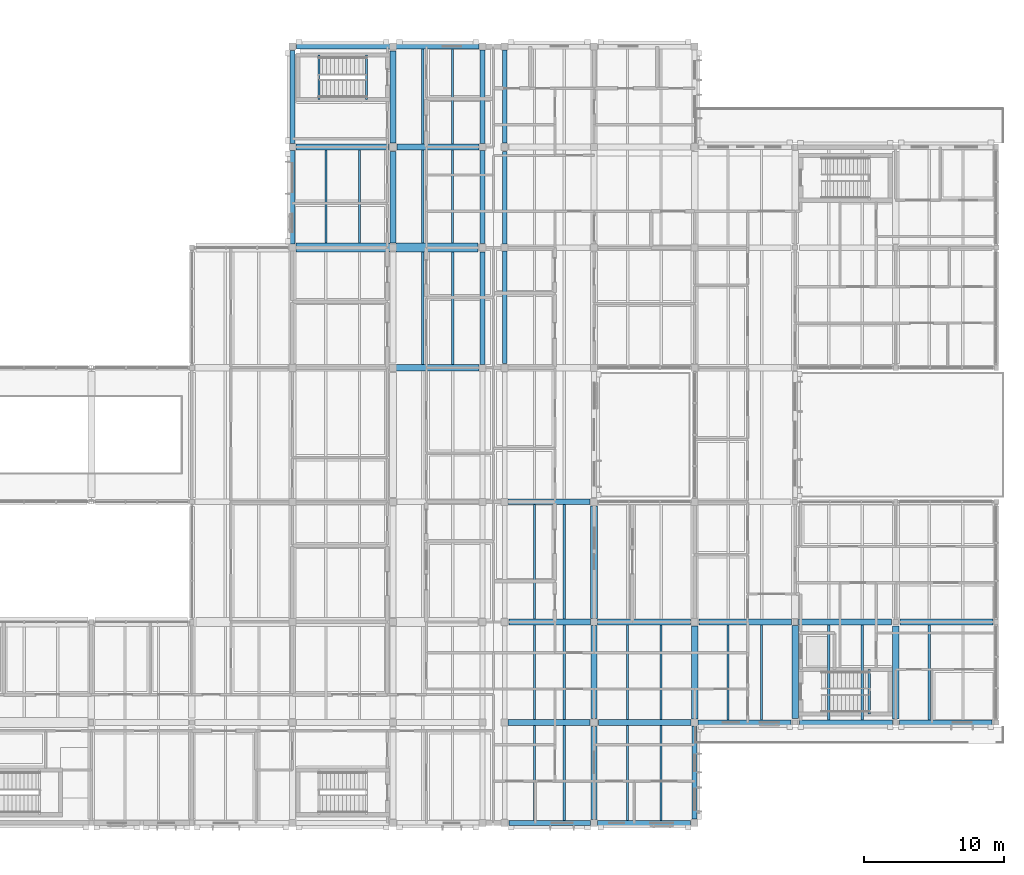
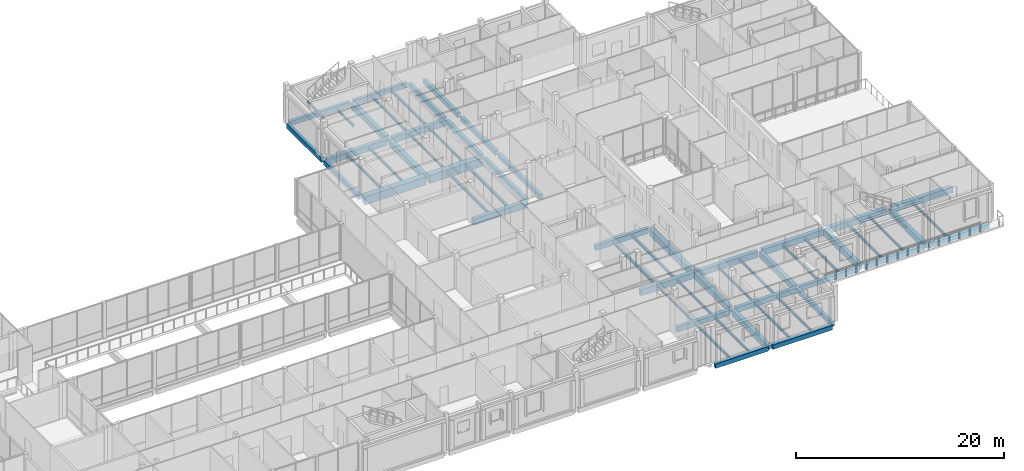
# One storey, part 81 of 146: 63 beams.
"""IFC4 building model written with IfcOpenShell, lengths in metres."""

from ifc_helpers import new_model, si_unit, direction, frame, origin, origin_2d, place, context, subcontext, project, spatial, rectangle, i_section, extrude, material, material_profile, profile_set, type_object, element, save


model = new_model("IFC4")

# Units and contexts
model_context = context("Model", 3, precision=1e-05, world=origin(), true_north=direction((0.0, 1.0)))
body_context = subcontext(model_context, "Body", "Model", "MODEL_VIEW")
ifc_project = project(units=[si_unit("LENGTHUNIT", "METRE"), si_unit("AREAUNIT", "SQUARE_METRE"), si_unit("VOLUMEUNIT", "CUBIC_METRE"), si_unit("PLANEANGLEUNIT", "RADIAN"), si_unit("MASSUNIT", "GRAM", prefix="KILO")], contexts=[model_context])

# Site, building, storey
site_placement = place(None, origin())
site = spatial("IfcSite", under=ifc_project, at=site_placement, CompositionType="ELEMENT")
building_placement = place(site_placement, origin())
building = spatial("IfcBuilding", under=site, at=building_placement, Name="Hawrajan Terrace Health Centre", CompositionType="ELEMENT")
storey_placement = place(building_placement, frame((0.0, 0.0, 4.5)))
storey = spatial("IfcBuildingStorey", under=building, at=storey_placement, Name="L01", CompositionType="ELEMENT", Elevation=4.5)

# Beams
ifc_material_1 = material(Name="Concrete C40/50", Category="concrete")
ifc_material_profile_1 = material_profile(ifc_material_1, rectangle(XDim=0.39990234375, YDim=0.60009765625, at=origin_2d()), Name="RC BM 400x600")
ifc_profile_set_1 = profile_set([ifc_material_profile_1], Name="Concrete C40/50")
beam_type_1 = type_object("IfcBeamType", Name="RCGirder_400x600", PredefinedType="BEAM", material=ifc_profile_set_1)
for number, where, z_axis, x_axis, name in (
    (1, (130.449951171875, 11.39990234375, -0.699951171875), (1.0, 0.0, 0.0), (0.0, 1.0, 0.0), "Beam BM-X-L01-E-17-Y2"),
    (2, (130.449951171875, 27.199951171875, -0.699951171875), (1.0, 0.0, 0.0), (0.0, 1.0, 0.0), "Beam BM-X-L01-E-17-Y4"),
):
    element("IfcBeam", number, at=place(storey_placement, frame(where, z_axis=z_axis, x_axis=x_axis)), inside=storey, type_object=beam_type_1, Name=name, PredefinedType="BEAM", context=body_context, shape_type="SweptSolid", body=[
        extrude(rectangle(XDim=0.39990234375, YDim=0.60009765625, at=origin_2d()), origin(), (0.0, 0.0, 1.0), 5.85009765625),
    ])
beam_1_placement = place(storey_placement, frame((136.89990234375, 11.39990234375, -0.699951171875), z_axis=(1.0, 0.0, 0.0), x_axis=(0.0, 1.0, 0.0)))
element("IfcBeam", 3, at=beam_1_placement, inside=storey, type_object=beam_type_1, Name="Beam BM-X-L01-E-18-Y2", PredefinedType="BEAM", context=body_context, shape_type="SweptSolid", body=[
    extrude(rectangle(XDim=0.39990234375, YDim=0.60009765625, at=origin_2d()), origin(), (0.0, 0.0, 1.0), 6.650146484375),
])
ifc_material_profile_2 = material_profile(ifc_material_1, rectangle(XDim=0.449951171875, YDim=0.699951171875, at=origin_2d()), Name="RC BM 450x700")
ifc_profile_set_2 = profile_set([ifc_material_profile_2], Name="Concrete C40/50")
beam_type_2 = type_object("IfcBeamType", Name="RCGirder_450x700", PredefinedType="BEAM", material=ifc_profile_set_2)
beam_2_placement = place(storey_placement, frame((115.25, 52.60009765625, -0.64990234375), z_axis=(1.0, 0.0, 0.0), x_axis=(0.0, 1.0, 0.0)))
element("IfcBeam", 4, at=beam_2_placement, inside=storey, type_object=beam_type_2, Name="Beam BM-X-L01-C-15-Y7", PredefinedType="BEAM", context=body_context, shape_type="SweptSolid", body=[
    extrude(rectangle(XDim=0.449951171875, YDim=0.699951171875, at=origin_2d()), origin(), (0.0, 0.0, 1.0), 6.64990234375),
])
beam_3_placement = place(storey_placement, frame((122.425048828125, 36.800048828125, -0.64990234375), z_axis=(1.0, 0.0, 0.0), x_axis=(0.0, 1.0, 0.0)))
element("IfcBeam", 5, at=beam_3_placement, inside=storey, type_object=beam_type_2, Name="Beam BM-X-L01-C-16-Y5", PredefinedType="BEAM", context=body_context, shape_type="SweptSolid", body=[
    extrude(rectangle(XDim=0.449951171875, YDim=0.699951171875, at=origin_2d()), origin(), (0.0, 0.0, 1.0), 5.925048828125),
])
beam_4_placement = place(storey_placement, frame((122.5, 52.60009765625, -0.64990234375), z_axis=(1.0, 0.0, 0.0), x_axis=(0.0, 1.0, 0.0)))
element("IfcBeam", 6, at=beam_4_placement, inside=storey, type_object=beam_type_2, Name="Beam BM-X-L01-C-16-Y7", PredefinedType="BEAM", context=body_context, shape_type="SweptSolid", body=[
    extrude(rectangle(XDim=0.449951171875, YDim=0.699951171875, at=origin_2d()), origin(), (0.0, 0.0, 1.0), 5.85009765625),
])
beam_5_placement = place(storey_placement, frame((122.199951171875, 45.72509765625, -0.64990234375), z_axis=(0.0, 1.0, 0.0), x_axis=(-1.0, 0.0, 0.0)))
element("IfcBeam", 7, at=beam_5_placement, inside=storey, type_object=beam_type_2, Name="Beam BM-Y-L01-C-X16-6", PredefinedType="BEAM", context=body_context, shape_type="SweptSolid", body=[
    extrude(rectangle(XDim=0.449951171875, YDim=0.699951171875, at=origin_2d()), origin(), (0.0, 0.0, 1.0), 6.574951171875),
])
beam_6_placement = place(storey_placement, frame((122.199951171875, 52.89990234375, -0.64990234375), z_axis=(0.0, 1.0, 0.0), x_axis=(-1.0, 0.0, 0.0)))
element("IfcBeam", 8, at=beam_6_placement, inside=storey, type_object=beam_type_2, Name="Beam BM-Y-L01-C-X16-7", PredefinedType="BEAM", context=body_context, shape_type="SweptSolid", body=[
    extrude(rectangle(XDim=0.449951171875, YDim=0.699951171875, at=origin_2d()), origin(), (0.0, 0.0, 1.0), 6.5751953125),
])
beam_7_placement = place(storey_placement, frame((130.5, 18.60009765625, -0.75), z_axis=(1.0, 0.0, 0.0), x_axis=(0.0, 1.0, 0.0)))
element("IfcBeam", 9, at=beam_7_placement, inside=storey, type_object=beam_type_2, Name="Beam BM-X-L01-E-17-Y3", PredefinedType="BEAM", context=body_context, shape_type="SweptSolid", body=[
    extrude(rectangle(XDim=0.449951171875, YDim=0.699951171875, at=origin_2d()), origin(), (0.0, 0.0, 1.0), 5.85009765625),
])
for number, where, z_axis, x_axis, name in (
    (10, (136.85009765625, 18.60009765625, -0.75), (1.0, 0.0, 0.0), (0.0, 1.0, 0.0), "Beam BM-X-L01-E-18-Y3"),
    (11, (144.10009765625, 18.60009765625, -0.75), (1.0, 0.0, 0.0), (0.0, 1.0, 0.0), "Beam BM-X-L01-E-19-Y3"),
    (12, (151.25, 18.60009765625, -0.75), (1.0, 0.0, 0.0), (0.0, 1.0, 0.0), "Beam BM-X-L01-E-20-Y3"),
    (13, (158.5, 18.60009765625, -0.75), (1.0, 0.0, 0.0), (0.0, 1.0, 0.0), "Beam BM-X-L01-E-21-Y3"),
):
    element("IfcBeam", number, at=place(storey_placement, frame(where, z_axis=z_axis, x_axis=x_axis)), inside=storey, type_object=beam_type_2, Name=name, PredefinedType="BEAM", context=body_context, shape_type="SweptSolid", body=[
        extrude(rectangle(XDim=0.449951171875, YDim=0.699951171875, at=origin_2d()), origin(), (0.0, 0.0, 1.0), 6.64990234375),
    ])
for number, where, z_axis, x_axis, name in (
    (14, (136.60009765625, 4.449951171875, -0.75), (0.0, 1.0, 0.0), (-1.0, 0.0, 0.0), "Beam BM-Y-L01-E-X18-1"),
    (15, (136.60009765625, 11.699951171875, -0.75), (0.0, 1.0, 0.0), (-1.0, 0.0, 0.0), "Beam BM-Y-L01-E-X18-2"),
    (16, (143.800048828125, 11.64990234375, -0.75), (0.0, 1.0, 0.0), (-1.0, 0.0, 0.0), "Beam BM-Y-L01-E-X19-2"),
    (17, (151.0, 11.699951171875, -0.75), (0.0, 1.0, 0.0), (-1.0, 0.0, 0.0), "Beam BM-Y-L01-E-X20-2"),
    (18, (158.199951171875, 11.64990234375, -0.75), (0.0, 1.0, 0.0), (-1.0, 0.0, 0.0), "Beam BM-Y-L01-E-X21-2"),
):
    element("IfcBeam", number, at=place(storey_placement, frame(where, z_axis=z_axis, x_axis=x_axis)), inside=storey, type_object=beam_type_2, Name=name, PredefinedType="BEAM", context=body_context, shape_type="SweptSolid", body=[
        extrude(rectangle(XDim=0.449951171875, YDim=0.699951171875, at=origin_2d()), origin(), (0.0, 0.0, 1.0), 6.650146484375),
    ])
ifc_material_profile_3 = material_profile(ifc_material_1, rectangle(XDim=0.5, YDim=0.800048828125, at=origin_2d()), Name="RC BM 500x800")
ifc_profile_set_3 = profile_set([ifc_material_profile_3], Name="Concrete C40/50")
beam_type_3 = type_object("IfcBeamType", Name="RCGirder_500x800", PredefinedType="BEAM", material=ifc_profile_set_3)
beam_8_placement = place(storey_placement, frame((136.60009765625, 18.85009765625, -0.800048828125), z_axis=(0.0, 1.0, 0.0), x_axis=(-1.0, 0.0, 0.0)))
element("IfcBeam", 19, at=beam_8_placement, inside=storey, type_object=beam_type_3, Name="Beam BM-Y-L01-E-X18-3", PredefinedType="BEAM", context=body_context, shape_type="SweptSolid", body=[
    extrude(rectangle(XDim=0.5, YDim=0.800048828125, at=origin_2d()), origin(), (0.0, 0.0, 1.0), 8.0498046875),
])
ifc_material_profile_4 = material_profile(ifc_material_1, rectangle(XDim=0.35009765625, YDim=0.52001953125, at=origin_2d()), Name="RC SP 350x520")
ifc_profile_set_4 = profile_set([ifc_material_profile_4], Name="Concrete C40/50")
beam_type_4 = type_object("IfcBeamType", Name="RCSpandrel_350x520", PredefinedType="SPANDREL", material=ifc_profile_set_4)
beam_9_placement = place(storey_placement, frame((115.300048828125, 59.800048828125, -0.56005859375), z_axis=(1.0, 0.0, 0.0), x_axis=(0.0, 1.0, 0.0)))
element("IfcBeam", 20, at=beam_9_placement, inside=storey, type_object=beam_type_4, Name="Beam BM-X-L01-C-15-Y8", PredefinedType="SPANDREL", context=body_context, shape_type="SweptSolid", body=[
    extrude(rectangle(XDim=0.35009765625, YDim=0.52001953125, at=origin_2d()), origin(), (0.0, 0.0, 1.0), 6.675048828125),
])
beam_10_placement = place(storey_placement, frame((122.425048828125, 59.800048828125, -0.56005859375), z_axis=(1.0, 0.0, 0.0), x_axis=(0.0, 1.0, 0.0)))
element("IfcBeam", 21, at=beam_10_placement, inside=storey, type_object=beam_type_4, Name="Beam BM-X-L01-C-16-Y8", PredefinedType="SPANDREL", context=body_context, shape_type="SweptSolid", body=[
    extrude(rectangle(XDim=0.35009765625, YDim=0.52001953125, at=origin_2d()), origin(), (0.0, 0.0, 1.0), 5.925048828125),
])
beam_11_placement = place(storey_placement, frame((115.0, 45.64990234375, -0.56005859375), z_axis=(0.0, 1.0, 0.0), x_axis=(-1.0, 0.0, 0.0)))
element("IfcBeam", 22, at=beam_11_placement, inside=storey, type_object=beam_type_4, Name="Beam BM-Y-L01-C-X15-6", PredefinedType="SPANDREL", context=body_context, shape_type="SweptSolid", body=[
    extrude(rectangle(XDim=0.35009765625, YDim=0.52001953125, at=origin_2d()), origin(), (0.0, 0.0, 1.0), 6.7001953125),
])
beam_12_placement = place(storey_placement, frame((115.0, 52.85009765625, -0.56005859375), z_axis=(0.0, 1.0, 0.0), x_axis=(-1.0, 0.0, 0.0)))
element("IfcBeam", 23, at=beam_12_placement, inside=storey, type_object=beam_type_4, Name="Beam BM-Y-L01-C-X15-7", PredefinedType="SPANDREL", context=body_context, shape_type="SweptSolid", body=[
    extrude(rectangle(XDim=0.35009765625, YDim=0.52001953125, at=origin_2d()), origin(), (0.0, 0.0, 1.0), 6.64990234375),
])
beam_13_placement = place(storey_placement, frame((128.60009765625, 37.050048828125, -0.56005859375), z_axis=(0.0, 1.0, 0.0), x_axis=(-1.0, 0.0, 0.0)))
element("IfcBeam", 24, at=beam_13_placement, inside=storey, type_object=beam_type_4, Name="Beam BM-Y-L01-C-X17-5", PredefinedType="SPANDREL", context=body_context, shape_type="SweptSolid", body=[
    extrude(rectangle(XDim=0.35009765625, YDim=0.52001953125, at=origin_2d()), origin(), (0.0, 0.0, 1.0), 8.050048828125),
])
beam_14_placement = place(storey_placement, frame((128.60009765625, 45.699951171875, -0.56005859375), z_axis=(0.0, 1.0, 0.0), x_axis=(-1.0, 0.0, 0.0)))
element("IfcBeam", 25, at=beam_14_placement, inside=storey, type_object=beam_type_4, Name="Beam BM-Y-L01-C-X17-6", PredefinedType="SPANDREL", context=body_context, shape_type="SweptSolid", body=[
    extrude(rectangle(XDim=0.35009765625, YDim=0.52001953125, at=origin_2d()), origin(), (0.0, 0.0, 1.0), 6.650146484375),
])
beam_15_placement = place(storey_placement, frame((128.60009765625, 52.85009765625, -0.56005859375), z_axis=(0.0, 1.0, 0.0), x_axis=(-1.0, 0.0, 0.0)))
element("IfcBeam", 26, at=beam_15_placement, inside=storey, type_object=beam_type_4, Name="Beam BM-Y-L01-C-X17-7", PredefinedType="SPANDREL", context=body_context, shape_type="SweptSolid", body=[
    extrude(rectangle(XDim=0.35009765625, YDim=0.52001953125, at=origin_2d()), origin(), (0.0, 0.0, 1.0), 6.699951171875),
])
beam_16_placement = place(storey_placement, frame((130.5, 4.199951171875, -0.659912109375), z_axis=(1.0, 0.0, 0.0), x_axis=(0.0, 1.0, 0.0)))
element("IfcBeam", 27, at=beam_16_placement, inside=storey, type_object=beam_type_4, Name="Beam BM-X-L01-E-17-Y1", PredefinedType="SPANDREL", context=body_context, shape_type="SweptSolid", body=[
    extrude(rectangle(XDim=0.35009765625, YDim=0.52001953125, at=origin_2d()), origin(), (0.0, 0.0, 1.0), 5.85009765625),
])
for number, where, z_axis, x_axis, name in (
    (28, (136.85009765625, 4.199951171875, -0.659912109375), (1.0, 0.0, 0.0), (0.0, 1.0, 0.0), "Beam BM-X-L01-E-18-Y1"),
    (29, (144.050048828125, 11.39990234375, -0.659912109375), (1.0, 0.0, 0.0), (0.0, 1.0, 0.0), "Beam BM-X-L01-E-19-Y2"),
    (30, (151.300048828125, 11.39990234375, -0.659912109375), (1.0, 0.0, 0.0), (0.0, 1.0, 0.0), "Beam BM-X-L01-E-20-Y2"),
):
    element("IfcBeam", number, at=place(storey_placement, frame(where, z_axis=z_axis, x_axis=x_axis)), inside=storey, type_object=beam_type_4, Name=name, PredefinedType="SPANDREL", context=body_context, shape_type="SweptSolid", body=[
        extrude(rectangle(XDim=0.35009765625, YDim=0.52001953125, at=origin_2d()), origin(), (0.0, 0.0, 1.0), 6.64990234375),
    ])
beam_17_placement = place(storey_placement, frame((158.449951171875, 11.39990234375, -0.659912109375), z_axis=(1.0, 0.0, 0.0), x_axis=(0.0, 1.0, 0.0)))
element("IfcBeam", 31, at=beam_17_placement, inside=storey, type_object=beam_type_4, Name="Beam BM-X-L01-E-21-Y2", PredefinedType="SPANDREL", context=body_context, shape_type="SweptSolid", body=[
    extrude(rectangle(XDim=0.35009765625, YDim=0.52001953125, at=origin_2d()), origin(), (0.0, 0.0, 1.0), 6.650146484375),
])
beam_18_placement = place(storey_placement, frame((130.199951171875, 37.10009765625, -0.659912109375), z_axis=(0.0, 1.0, 0.0), x_axis=(-1.0, 0.0, 0.0)))
element("IfcBeam", 32, at=beam_18_placement, inside=storey, type_object=beam_type_4, Name="Beam BM-Y-L01-E-X17-5", PredefinedType="SPANDREL", context=body_context, shape_type="SweptSolid", body=[
    extrude(rectangle(XDim=0.35009765625, YDim=0.52001953125, at=origin_2d()), origin(), (0.0, 0.0, 1.0), 8.0498046875),
])
for number, where, z_axis, x_axis, name in (
    (33, (130.199951171875, 45.64990234375, -0.659912109375), (0.0, 1.0, 0.0), (-1.0, 0.0, 0.0), "Beam BM-Y-L01-E-X17-6"),
    (34, (130.199951171875, 52.89990234375, -0.659912109375), (0.0, 1.0, 0.0), (-1.0, 0.0, 0.0), "Beam BM-Y-L01-E-X17-7"),
):
    element("IfcBeam", number, at=place(storey_placement, frame(where, z_axis=z_axis, x_axis=x_axis)), inside=storey, type_object=beam_type_4, Name=name, PredefinedType="SPANDREL", context=body_context, shape_type="SweptSolid", body=[
        extrude(rectangle(XDim=0.35009765625, YDim=0.52001953125, at=origin_2d()), origin(), (0.0, 0.0, 1.0), 6.650146484375),
    ])
beam_19_placement = place(storey_placement, frame((143.800048828125, 4.5, -0.659912109375), z_axis=(0.0, 1.0, 0.0), x_axis=(-1.0, 0.0, 0.0)))
element("IfcBeam", 35, at=beam_19_placement, inside=storey, type_object=beam_type_4, Name="Beam BM-Y-L01-E-X19-1", PredefinedType="SPANDREL", context=body_context, shape_type="SweptSolid", body=[
    extrude(rectangle(XDim=0.35009765625, YDim=0.52001953125, at=origin_2d()), origin(), (0.0, 0.0, 1.0), 6.64990234375),
])
ifc_material_profile_5 = material_profile(ifc_material_1, rectangle(XDim=0.64990234375, YDim=0.949951171875, at=origin_2d()), Name="RC TG 650x950")
ifc_profile_set_5 = profile_set([ifc_material_profile_5], Name="Concrete C40/50")
beam_type_5 = type_object("IfcBeamType", Name="RCTransferGirder_650x950", PredefinedType="BEAM", material=ifc_profile_set_5)
beam_20_placement = place(storey_placement, frame((115.25, 45.39990234375, -0.77490234375), z_axis=(1.0, 0.0, 0.0), x_axis=(0.0, 1.0, 0.0)))
element("IfcBeam", 36, at=beam_20_placement, inside=storey, type_object=beam_type_5, Name="Beam BM-X-L01-C-15-Y6", PredefinedType="BEAM", context=body_context, shape_type="SweptSolid", body=[
    extrude(rectangle(XDim=0.64990234375, YDim=0.949951171875, at=origin_2d()), origin(), (0.0, 0.0, 1.0), 6.72509765625),
])
beam_21_placement = place(storey_placement, frame((122.425048828125, 45.39990234375, -0.77490234375), z_axis=(1.0, 0.0, 0.0), x_axis=(0.0, 1.0, 0.0)))
element("IfcBeam", 37, at=beam_21_placement, inside=storey, type_object=beam_type_5, Name="Beam BM-X-L01-C-16-Y6", PredefinedType="BEAM", context=body_context, shape_type="SweptSolid", body=[
    extrude(rectangle(XDim=0.64990234375, YDim=0.949951171875, at=origin_2d()), origin(), (0.0, 0.0, 1.0), 5.875),
])
ifc_material_2 = material(Name="Steel S355", Category="steel")
ifc_material_profile_6 = material_profile(ifc_material_2, i_section(OverallWidth=0.14990234375, OverallDepth=0.300048828125, WebThickness=0.007080078125, FlangeThickness=0.0107421875, FilletRadius=0.014892578125, at=origin_2d()), Name="IPE 300")
ifc_profile_set_6 = profile_set([ifc_material_profile_6], Name="Steel S355")
beam_type_6 = type_object("IfcBeamType", Name="SteelBeam_IPE300", PredefinedType="JOIST", material=ifc_profile_set_6)
for number, where, z_axis, x_axis, name in (
    (38, (117.39990234375, 45.72509765625, -0.449951171875), (0.0, 1.0, 0.0), (-1.0, 0.0, 0.0), "Secondary joist JST-L01-C-15-6-1"),
    (39, (119.800048828125, 45.72509765625, -0.449951171875), (0.0, 1.0, 0.0), (-1.0, 0.0, 0.0), "Secondary joist JST-L01-C-15-6-2"),
    (40, (124.333251953125, 45.72509765625, -0.449951171875), (0.0, 1.0, 0.0), (-1.0, 0.0, 0.0), "Secondary joist JST-L01-C-16-6-1"),
    (41, (126.466796875, 45.72509765625, -0.449951171875), (0.0, 1.0, 0.0), (-1.0, 0.0, 0.0), "Secondary joist JST-L01-C-16-6-2"),
):
    element("IfcBeam", number, at=place(storey_placement, frame(where, z_axis=z_axis, x_axis=x_axis)), inside=storey, type_object=beam_type_6, Name=name, PredefinedType="JOIST", context=body_context, shape_type="SweptSolid", body=[
        extrude(i_section(OverallWidth=0.14990234375, OverallDepth=0.300048828125, WebThickness=0.007080078125, FlangeThickness=0.0107421875, FilletRadius=0.014892578125, at=origin_2d()), origin(), (0.0, 0.0, 1.0), 6.64990234375),
    ])
for number, where, z_axis, x_axis, name in (
    (42, (124.333251953125, 52.824951171875, -0.449951171875), (0.0, 1.0, 0.0), (-1.0, 0.0, 0.0), "Secondary joist JST-L01-C-16-7-1"),
    (43, (126.466796875, 52.824951171875, -0.449951171875), (0.0, 1.0, 0.0), (-1.0, 0.0, 0.0), "Secondary joist JST-L01-C-16-7-2"),
):
    element("IfcBeam", number, at=place(storey_placement, frame(where, z_axis=z_axis, x_axis=x_axis)), inside=storey, type_object=beam_type_6, Name=name, PredefinedType="JOIST", context=body_context, shape_type="SweptSolid", body=[
        extrude(i_section(OverallWidth=0.14990234375, OverallDepth=0.300048828125, WebThickness=0.007080078125, FlangeThickness=0.0107421875, FilletRadius=0.014892578125, at=origin_2d()), origin(), (0.0, 0.0, 1.0), 6.800048828125),
    ])
for number, where, z_axis, x_axis, name in (
    (44, (132.333251953125, 4.375, -0.550048828125), (0.0, 1.0, 0.0), (-1.0, 0.0, 0.0), "Secondary joist JST-L01-E-17-1-1"),
    (45, (134.466796875, 4.375, -0.550048828125), (0.0, 1.0, 0.0), (-1.0, 0.0, 0.0), "Secondary joist JST-L01-E-17-1-2"),
):
    element("IfcBeam", number, at=place(storey_placement, frame(where, z_axis=z_axis, x_axis=x_axis)), inside=storey, type_object=beam_type_6, Name=name, PredefinedType="JOIST", context=body_context, shape_type="SweptSolid", body=[
        extrude(i_section(OverallWidth=0.14990234375, OverallDepth=0.300048828125, WebThickness=0.007080078125, FlangeThickness=0.0107421875, FilletRadius=0.014892578125, at=origin_2d()), origin(), (0.0, 0.0, 1.0), 6.824951171875),
    ])
for number, where, z_axis, x_axis, name in (
    (46, (132.333251953125, 11.60009765625, -0.550048828125), (0.0, 1.0, 0.0), (-1.0, 0.0, 0.0), "Secondary joist JST-L01-E-17-2-1"),
    (47, (134.466796875, 11.60009765625, -0.550048828125), (0.0, 1.0, 0.0), (-1.0, 0.0, 0.0), "Secondary joist JST-L01-E-17-2-2"),
):
    element("IfcBeam", number, at=place(storey_placement, frame(where, z_axis=z_axis, x_axis=x_axis)), inside=storey, type_object=beam_type_6, Name=name, PredefinedType="JOIST", context=body_context, shape_type="SweptSolid", body=[
        extrude(i_section(OverallWidth=0.14990234375, OverallDepth=0.300048828125, WebThickness=0.007080078125, FlangeThickness=0.0107421875, FilletRadius=0.014892578125, at=origin_2d()), origin(), (0.0, 0.0, 1.0), 6.77490234375),
    ])
for number, where, z_axis, x_axis, name in (
    (48, (139.0, 4.375, -0.550048828125), (0.0, 1.0, 0.0), (-1.0, 0.0, 0.0), "Secondary joist JST-L01-E-18-1-1"),
    (49, (141.39990234375, 4.375, -0.550048828125), (0.0, 1.0, 0.0), (-1.0, 0.0, 0.0), "Secondary joist JST-L01-E-18-1-2"),
):
    element("IfcBeam", number, at=place(storey_placement, frame(where, z_axis=z_axis, x_axis=x_axis)), inside=storey, type_object=beam_type_6, Name=name, PredefinedType="JOIST", context=body_context, shape_type="SweptSolid", body=[
        extrude(i_section(OverallWidth=0.14990234375, OverallDepth=0.300048828125, WebThickness=0.007080078125, FlangeThickness=0.0107421875, FilletRadius=0.014892578125, at=origin_2d()), origin(), (0.0, 0.0, 1.0), 6.824951171875),
    ])
for number, where, z_axis, x_axis, name in (
    (50, (139.0, 11.60009765625, -0.550048828125), (0.0, 1.0, 0.0), (-1.0, 0.0, 0.0), "Secondary joist JST-L01-E-18-2-1"),
    (51, (141.39990234375, 11.60009765625, -0.550048828125), (0.0, 1.0, 0.0), (-1.0, 0.0, 0.0), "Secondary joist JST-L01-E-18-2-2"),
):
    element("IfcBeam", number, at=place(storey_placement, frame(where, z_axis=z_axis, x_axis=x_axis)), inside=storey, type_object=beam_type_6, Name=name, PredefinedType="JOIST", context=body_context, shape_type="SweptSolid", body=[
        extrude(i_section(OverallWidth=0.14990234375, OverallDepth=0.300048828125, WebThickness=0.007080078125, FlangeThickness=0.0107421875, FilletRadius=0.014892578125, at=origin_2d()), origin(), (0.0, 0.0, 1.0), 6.77490234375),
    ])
for number, where, z_axis, x_axis, name in (
    (52, (146.199951171875, 11.574951171875, -0.550048828125), (0.0, 1.0, 0.0), (-1.0, 0.0, 0.0), "Secondary joist JST-L01-E-19-2-1"),
    (53, (148.60009765625, 11.574951171875, -0.550048828125), (0.0, 1.0, 0.0), (-1.0, 0.0, 0.0), "Secondary joist JST-L01-E-19-2-2"),
    (54, (153.39990234375, 11.574951171875, -0.550048828125), (0.0, 1.0, 0.0), (-1.0, 0.0, 0.0), "Secondary joist JST-L01-E-20-2-1"),
    (55, (155.800048828125, 11.574951171875, -0.550048828125), (0.0, 1.0, 0.0), (-1.0, 0.0, 0.0), "Secondary joist JST-L01-E-20-2-2"),
    (56, (160.60009765625, 11.574951171875, -0.550048828125), (0.0, 1.0, 0.0), (-1.0, 0.0, 0.0), "Secondary joist JST-L01-E-21-2-1"),
):
    element("IfcBeam", number, at=place(storey_placement, frame(where, z_axis=z_axis, x_axis=x_axis)), inside=storey, type_object=beam_type_6, Name=name, PredefinedType="JOIST", context=body_context, shape_type="SweptSolid", body=[
        extrude(i_section(OverallWidth=0.14990234375, OverallDepth=0.300048828125, WebThickness=0.007080078125, FlangeThickness=0.0107421875, FilletRadius=0.014892578125, at=origin_2d()), origin(), (0.0, 0.0, 1.0), 6.800048828125),
    ])
for number, where, z_axis, x_axis, name in (
    (57, (120.300048828125, 56.0, -0.3701171875), (0.0, 1.0, 0.0), (-1.0, 0.0, 0.0), "Stair landing trimmer ST-7-L01-B0"),
    (58, (116.89990234375, 56.0, 1.8798828125), (0.0, 1.0, 0.0), (-1.0, 0.0, 0.0), "Stair half-landing trimmer ST-7-L01-B1"),
    (59, (156.300048828125, 12.0, 1.8798828125), (0.0, 1.0, 0.0), (-1.0, 0.0, 0.0), "Stair half-landing trimmer ST-8-L01-B1"),
):
    element("IfcBeam", number, at=place(storey_placement, frame(where, z_axis=z_axis, x_axis=x_axis)), inside=storey, type_object=beam_type_6, Name=name, PredefinedType="JOIST", context=body_context, shape_type="SweptSolid", body=[
        extrude(i_section(OverallWidth=0.14990234375, OverallDepth=0.300048828125, WebThickness=0.007080078125, FlangeThickness=0.0107421875, FilletRadius=0.014892578125, at=origin_2d()), origin(), (0.0, 0.0, 1.0), 3.199951171875),
    ])
ifc_material_profile_7 = material_profile(ifc_material_2, i_section(OverallWidth=0.169921875, OverallDepth=0.360107421875, WebThickness=0.008056640625, FlangeThickness=0.0126953125, FilletRadius=0.01806640625, at=origin_2d()), Name="IPE 360")
ifc_profile_set_7 = profile_set([ifc_material_profile_7], Name="Steel S355")
beam_type_7 = type_object("IfcBeamType", Name="SteelBeam_IPE360", PredefinedType="BEAM", material=ifc_profile_set_7)
for number, where, z_axis, x_axis, name in (
    (60, (124.333251953125, 37.02490234375, -0.47998046875), (0.0, 1.0, 0.0), (-1.0, 0.0, 0.0), "Secondary joist JST-L01-C-16-5-1"),
    (61, (126.466796875, 37.02490234375, -0.47998046875), (0.0, 1.0, 0.0), (-1.0, 0.0, 0.0), "Secondary joist JST-L01-C-16-5-2"),
):
    element("IfcBeam", number, at=place(storey_placement, frame(where, z_axis=z_axis, x_axis=x_axis)), inside=storey, type_object=beam_type_7, Name=name, PredefinedType="BEAM", context=body_context, shape_type="SweptSolid", body=[
        extrude(i_section(OverallWidth=0.169921875, OverallDepth=0.360107421875, WebThickness=0.008056640625, FlangeThickness=0.0126953125, FilletRadius=0.01806640625, at=origin_2d()), origin(), (0.0, 0.0, 1.0), 8.050048828125),
    ])
for number, where, z_axis, x_axis, name in (
    (62, (132.333251953125, 18.824951171875, -0.580078125), (0.0, 1.0, 0.0), (-1.0, 0.0, 0.0), "Secondary joist JST-L01-E-17-3-1"),
    (63, (134.466796875, 18.824951171875, -0.580078125), (0.0, 1.0, 0.0), (-1.0, 0.0, 0.0), "Secondary joist JST-L01-E-17-3-2"),
):
    element("IfcBeam", number, at=place(storey_placement, frame(where, z_axis=z_axis, x_axis=x_axis)), inside=storey, type_object=beam_type_7, Name=name, PredefinedType="BEAM", context=body_context, shape_type="SweptSolid", body=[
        extrude(i_section(OverallWidth=0.169921875, OverallDepth=0.360107421875, WebThickness=0.008056640625, FlangeThickness=0.0126953125, FilletRadius=0.01806640625, at=origin_2d()), origin(), (0.0, 0.0, 1.0), 8.175048828125),
    ])

save(model, "model.ifc")
